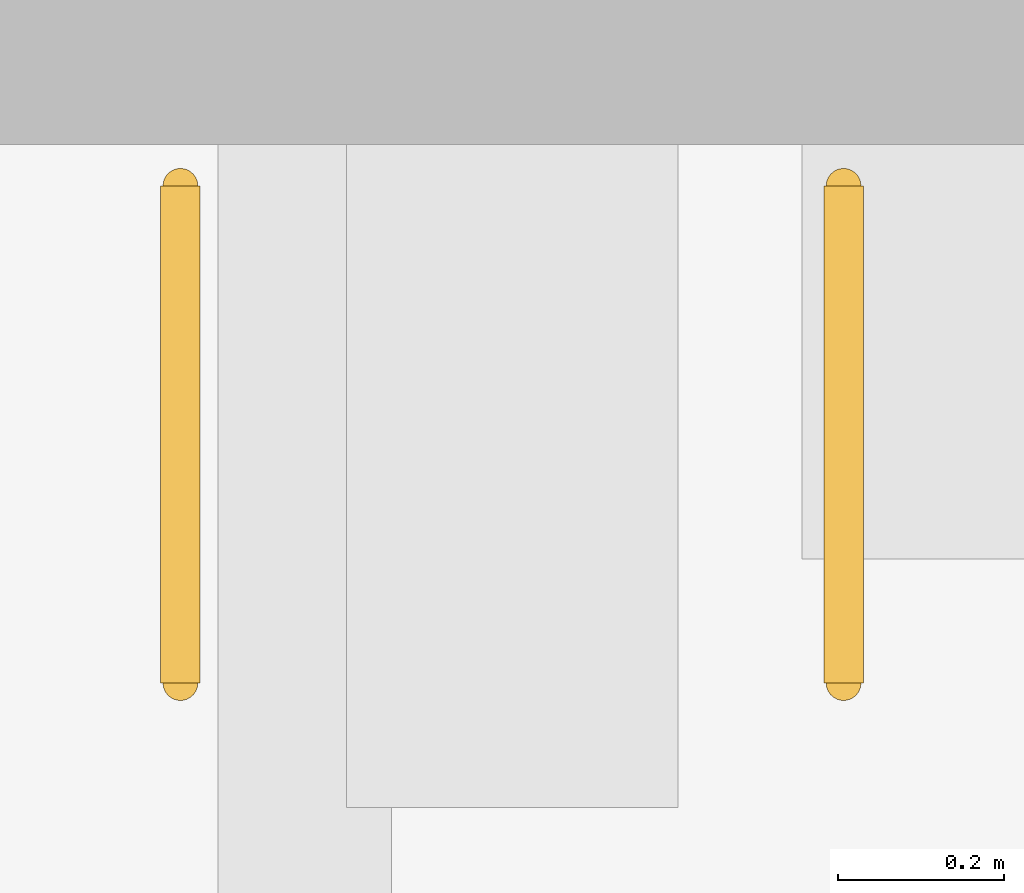
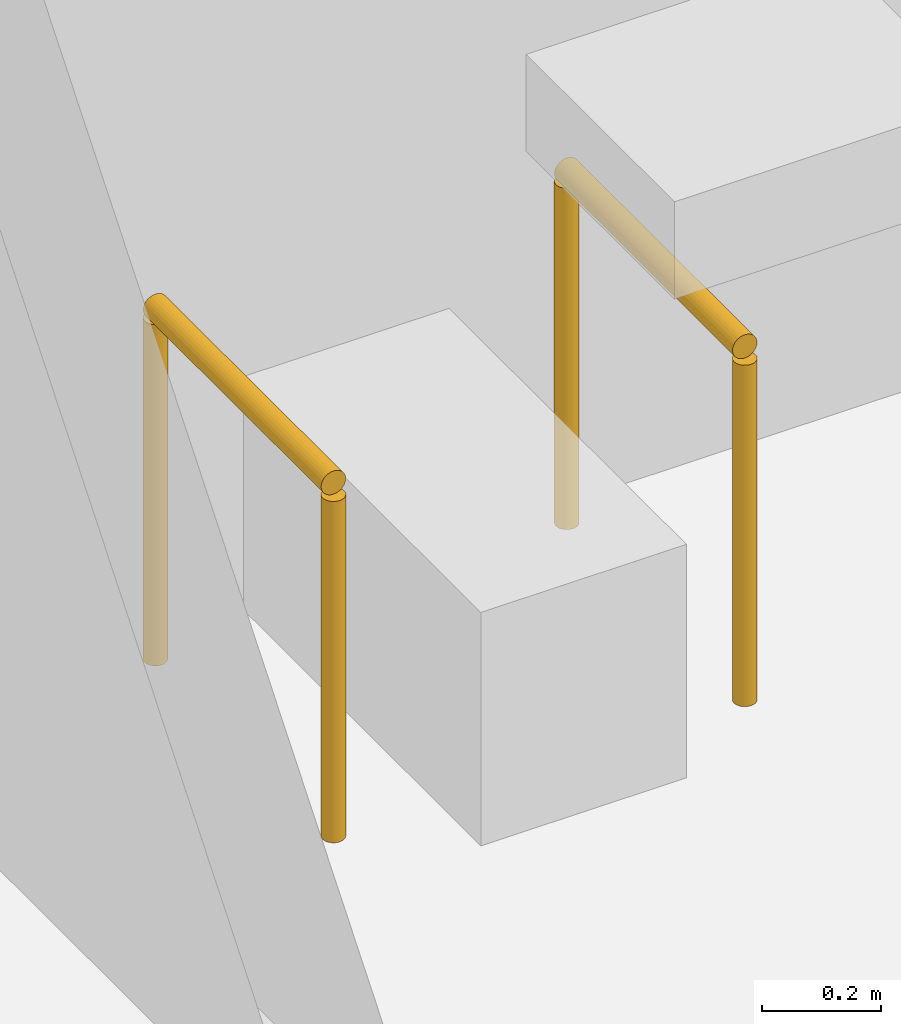
# One storey, part 114 of 123: 2 railings.
"""IFC4 building model written with IfcOpenShell, lengths in metres."""

from ifc_helpers import new_model, si_unit, direction, frame, origin, origin_2d, place, context, subcontext, project, spatial, circle, extrude, material, type_object, element, save


model = new_model("IFC4")

# Units and contexts
model_context = context("Model", 3, precision=1e-05, world=origin(), true_north=direction((0.0, 1.0)))
body_context = subcontext(model_context, "Body", "Model", "MODEL_VIEW")
ifc_project = project(units=[si_unit("LENGTHUNIT", "METRE"), si_unit("AREAUNIT", "SQUARE_METRE"), si_unit("VOLUMEUNIT", "CUBIC_METRE"), si_unit("PLANEANGLEUNIT", "RADIAN"), si_unit("MASSUNIT", "GRAM", prefix="KILO")], contexts=[model_context])

# Site, building, storey
site_placement = place(None, origin())
site = spatial("IfcSite", under=ifc_project, at=site_placement, CompositionType="ELEMENT")
building_placement = place(site_placement, origin())
building = spatial("IfcBuilding", under=site, at=building_placement, Name="Baradari Gate Terminus", CompositionType="ELEMENT")
storey_placement = place(building_placement, frame((0.0, 0.0, 7.5)))
storey = spatial("IfcBuildingStorey", under=building, at=storey_placement, Name="L01", CompositionType="ELEMENT", Elevation=7.5)

# Railings
ifc_material = material(Name="Stainless steel 1.4301", Category="steel")
railing_type = type_object("IfcRailingType", Name="Grab rail GB-1 750", PredefinedType="HANDRAIL", material=ifc_material)
for number, where, name in (
    (1, (83.64990234375, 35.64990234375, 0.0), "Grab rail Accessible WC"),
    (2, (84.449951171875, 35.64990234375, 0.0), "Grab rail Accessible WC"),
):
    element("IfcRailing", number, at=place(storey_placement, frame(where)), inside=storey, type_object=railing_type, Name=name, PredefinedType="HANDRAIL", context=body_context, shape_type="SweptSolid", body=[
        extrude(circle(Radius=0.02392578125, at=origin_2d()), frame((0.0, 0.0, 0.72607421875), z_axis=(0.0, -1.0, 0.0), x_axis=(1.0, 0.0, 0.0)), (0.0, 0.0, 1.0), 0.599853515625),
        extrude(circle(Radius=0.02099609375, at=origin_2d()), origin(), (0.0, 0.0, 1.0), 0.701904296875),
        extrude(circle(Radius=0.02099609375, at=origin_2d()), frame((0.0, -0.599853515625, 0.0)), (0.0, 0.0, 1.0), 0.701904296875),
    ])

save(model, "model.ifc")
